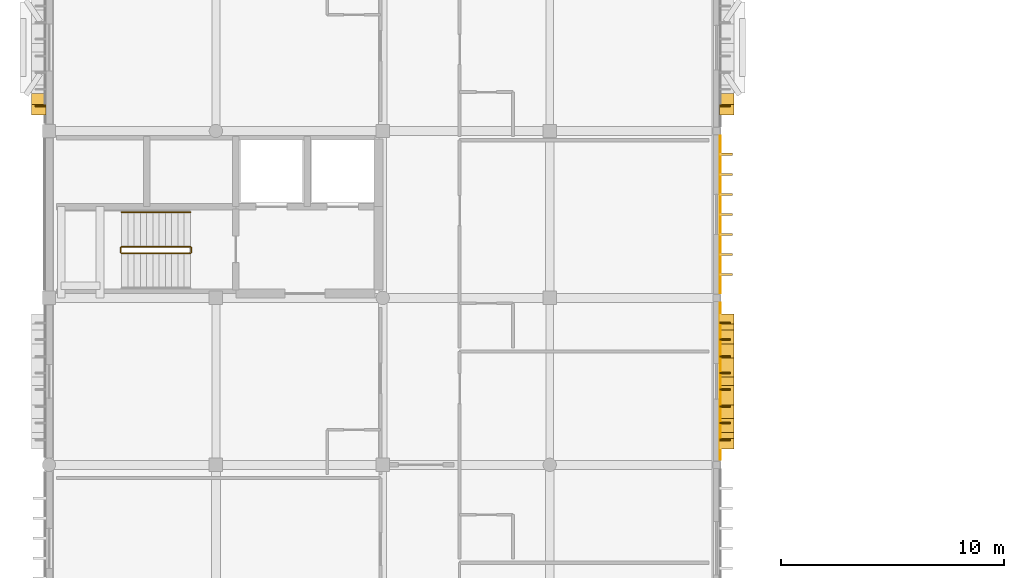
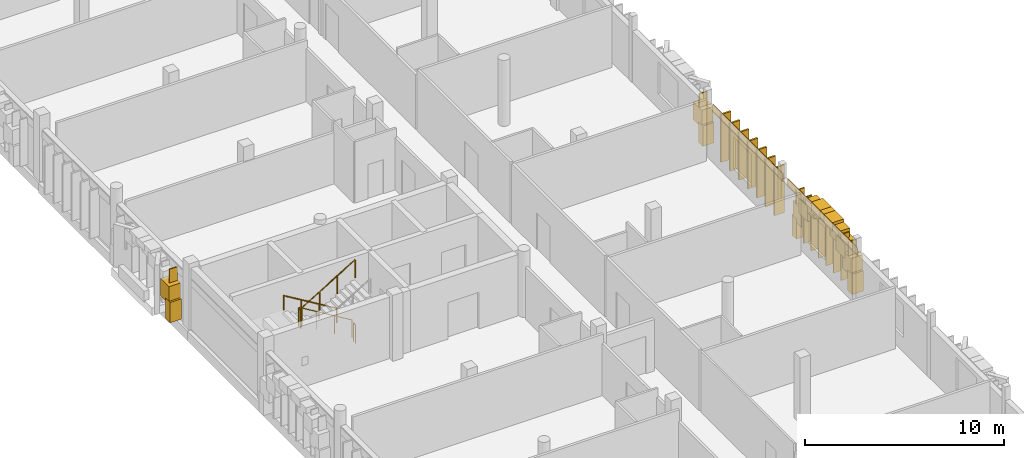
# One storey, part 26 of 33: 24 coverings, 10 shading devices, 5 railings.
"""IFC4 building model written with IfcOpenShell, lengths in metres."""

from ifc_helpers import new_model, si_unit, direction, frame, origin, origin_2d, place, context, subcontext, project, spatial, rectangle, circle, extrude, material, layer, layer_set, type_object, element, save


model = new_model("IFC4")

# Units and contexts
model_context = context("Model", 3, precision=1e-05, world=origin(), true_north=direction((0.0, 1.0)))
body_context = subcontext(model_context, "Body", "Model", "MODEL_VIEW")
ifc_project = project(units=[si_unit("LENGTHUNIT", "METRE"), si_unit("AREAUNIT", "SQUARE_METRE"), si_unit("VOLUMEUNIT", "CUBIC_METRE"), si_unit("PLANEANGLEUNIT", "RADIAN"), si_unit("MASSUNIT", "GRAM", prefix="KILO")], contexts=[model_context])

# Site, building, storey
site_placement = place(None, origin())
site = spatial("IfcSite", under=ifc_project, at=site_placement, CompositionType="ELEMENT")
building_placement = place(site_placement, origin())
building = spatial("IfcBuilding", under=site, at=building_placement, Name="Dalvernix Boulevard General Hospital", CompositionType="ELEMENT")
storey_placement = place(building_placement, frame((0.0, 0.0, 21.89990234375)))
storey = spatial("IfcBuildingStorey", under=building, at=storey_placement, Name="L05", CompositionType="ELEMENT", Elevation=21.89990234375)

# Coverings
ifc_material_1 = material(Name="Pressed Catalan clay brick and dressed limestone parabolic archivolt", Category="masonry")
ifc_layer_1 = layer(ifc_material_1, 0.419921875)
ifc_layer_set_1 = layer_set([ifc_layer_1], Name="Pressed Catalan clay brick and dressed limestone parabolic archivolt (COV-ARC-01)")
covering_type_1 = type_object("IfcCoveringType", Name="COV-ARC-01", PredefinedType="CLADDING", material=ifc_layer_set_1)
covering_1_placement = place(storey_placement, frame((-0.4599609375, 62.449951171875, 0.0), z_axis=(0.0, 0.0, 1.0), x_axis=(0.0, 1.0, 0.0)))
element("IfcCovering", 1, at=covering_1_placement, inside=storey, type_object=covering_type_1, Name="L05 Catalan parabolic arch impost pier W 0-8-L", PredefinedType="CLADDING", context=body_context, shape_type="SweptSolid", body=[
    extrude(rectangle(XDim=0.4599609375, YDim=0.659912109375, at=origin_2d()), origin(), (0.0, 0.0, 1.0), 1.25),
])
covering_2_placement = place(storey_placement, frame((-0.4599609375, 62.760986328125, 1.06005859375), z_axis=(0.0, 0.0, 1.0), x_axis=(0.0, 1.0, 0.0)))
element("IfcCovering", 2, at=covering_2_placement, inside=storey, type_object=covering_type_1, Name="L05 Catalan parabolic archivolt voussoir W 0-8-1", PredefinedType="CLADDING", context=body_context, shape_type="SweptSolid", body=[
    extrude(rectangle(XDim=0.8623046875, YDim=0.659912109375, at=origin_2d()), origin(), (0.0, 0.0, 1.0), 1.091064453125),
])
for number, where, z_axis, x_axis, name in (
    (3, (30.4599609375, 53.050048828125, 0.0), (0.0, 0.0, 1.0), (0.0, -1.0, 0.0), "L05 Catalan parabolic arch impost pier E 4-6-L"),
    (4, (30.4599609375, 47.449951171875, 0.0), (0.0, 0.0, 1.0), (0.0, -1.0, 0.0), "L05 Catalan parabolic arch impost pier E 4-6-R"),
):
    element("IfcCovering", number, at=place(storey_placement, frame(where, z_axis=z_axis, x_axis=x_axis)), inside=storey, type_object=covering_type_1, Name=name, PredefinedType="CLADDING", context=body_context, shape_type="SweptSolid", body=[
        extrude(rectangle(XDim=0.4599609375, YDim=0.659912109375, at=origin_2d()), origin(), (0.0, 0.0, 1.0), 1.25),
    ])
covering_3_placement = place(storey_placement, frame((30.4599609375, 52.739013671875, 1.06005859375), z_axis=(0.0, 0.0, 1.0), x_axis=(0.0, -1.0, 0.0)))
element("IfcCovering", 5, at=covering_3_placement, inside=storey, type_object=covering_type_1, Name="L05 Catalan parabolic archivolt voussoir E 4-6-1", PredefinedType="CLADDING", context=body_context, shape_type="SweptSolid", body=[
    extrude(rectangle(XDim=0.8623046875, YDim=0.659912109375, at=origin_2d()), origin(), (0.0, 0.0, 1.0), 1.091064453125),
])
covering_4_placement = place(storey_placement, frame((30.4599609375, 52.11669921875, 1.77099609375), z_axis=(0.0, 0.0, 1.0), x_axis=(0.0, -1.0, 0.0)))
element("IfcCovering", 6, at=covering_4_placement, inside=storey, type_object=covering_type_1, Name="L05 Catalan parabolic archivolt voussoir E 4-6-2", PredefinedType="CLADDING", context=body_context, shape_type="SweptSolid", body=[
    extrude(rectangle(XDim=0.8623046875, YDim=0.659912109375, at=origin_2d()), origin(), (0.0, 0.0, 1.0), 0.913330078125),
])
covering_5_placement = place(storey_placement, frame((30.4599609375, 51.494384765625, 2.3046875), z_axis=(0.0, 0.0, 1.0), x_axis=(0.0, -1.0, 0.0)))
element("IfcCovering", 7, at=covering_5_placement, inside=storey, type_object=covering_type_1, Name="L05 Catalan parabolic archivolt voussoir E 4-6-3", PredefinedType="CLADDING", context=body_context, shape_type="SweptSolid", body=[
    extrude(rectangle(XDim=0.8623046875, YDim=0.659912109375, at=origin_2d()), origin(), (0.0, 0.0, 1.0), 0.735595703125),
])
covering_6_placement = place(storey_placement, frame((30.4599609375, 50.872314453125, 2.66015625), z_axis=(0.0, 0.0, 1.0), x_axis=(0.0, -1.0, 0.0)))
element("IfcCovering", 8, at=covering_6_placement, inside=storey, type_object=covering_type_1, Name="L05 Catalan parabolic archivolt voussoir E 4-6-4", PredefinedType="CLADDING", context=body_context, shape_type="SweptSolid", body=[
    extrude(rectangle(XDim=0.8623046875, YDim=0.659912109375, at=origin_2d()), origin(), (0.0, 0.0, 1.0), 0.557861328125),
])
covering_7_placement = place(storey_placement, frame((30.4599609375, 50.25, 2.837890625), z_axis=(0.0, 0.0, 1.0), x_axis=(0.0, -1.0, 0.0)))
element("IfcCovering", 9, at=covering_7_placement, inside=storey, type_object=covering_type_1, Name="L05 Catalan parabolic archivolt voussoir E 4-6-5", PredefinedType="CLADDING", context=body_context, shape_type="SweptSolid", body=[
    extrude(rectangle(XDim=0.8623046875, YDim=0.659912109375, at=origin_2d()), origin(), (0.0, 0.0, 1.0), 0.3798828125),
])
covering_8_placement = place(storey_placement, frame((30.4599609375, 49.627685546875, 2.66015625), z_axis=(0.0, 0.0, 1.0), x_axis=(0.0, -1.0, 0.0)))
element("IfcCovering", 10, at=covering_8_placement, inside=storey, type_object=covering_type_1, Name="L05 Catalan parabolic archivolt voussoir E 4-6-6", PredefinedType="CLADDING", context=body_context, shape_type="SweptSolid", body=[
    extrude(rectangle(XDim=0.8623046875, YDim=0.659912109375, at=origin_2d()), origin(), (0.0, 0.0, 1.0), 0.557861328125),
])
covering_9_placement = place(storey_placement, frame((30.4599609375, 49.005615234375, 2.3046875), z_axis=(0.0, 0.0, 1.0), x_axis=(0.0, -1.0, 0.0)))
element("IfcCovering", 11, at=covering_9_placement, inside=storey, type_object=covering_type_1, Name="L05 Catalan parabolic archivolt voussoir E 4-6-7", PredefinedType="CLADDING", context=body_context, shape_type="SweptSolid", body=[
    extrude(rectangle(XDim=0.8623046875, YDim=0.659912109375, at=origin_2d()), origin(), (0.0, 0.0, 1.0), 0.735595703125),
])
covering_10_placement = place(storey_placement, frame((30.4599609375, 48.38330078125, 1.77099609375), z_axis=(0.0, 0.0, 1.0), x_axis=(0.0, -1.0, 0.0)))
element("IfcCovering", 12, at=covering_10_placement, inside=storey, type_object=covering_type_1, Name="L05 Catalan parabolic archivolt voussoir E 4-6-8", PredefinedType="CLADDING", context=body_context, shape_type="SweptSolid", body=[
    extrude(rectangle(XDim=0.8623046875, YDim=0.659912109375, at=origin_2d()), origin(), (0.0, 0.0, 1.0), 0.913330078125),
])
covering_11_placement = place(storey_placement, frame((30.4599609375, 47.760986328125, 1.06005859375), z_axis=(0.0, 0.0, 1.0), x_axis=(0.0, -1.0, 0.0)))
element("IfcCovering", 13, at=covering_11_placement, inside=storey, type_object=covering_type_1, Name="L05 Catalan parabolic archivolt voussoir E 4-6-9", PredefinedType="CLADDING", context=body_context, shape_type="SweptSolid", body=[
    extrude(rectangle(XDim=0.8623046875, YDim=0.659912109375, at=origin_2d()), origin(), (0.0, 0.0, 1.0), 1.091064453125),
])
covering_12_placement = place(storey_placement, frame((30.4599609375, 62.449951171875, 0.0), z_axis=(0.0, 0.0, 1.0), x_axis=(0.0, -1.0, 0.0)))
element("IfcCovering", 14, at=covering_12_placement, inside=storey, type_object=covering_type_1, Name="L05 Catalan parabolic arch impost pier E 4-8-R", PredefinedType="CLADDING", context=body_context, shape_type="SweptSolid", body=[
    extrude(rectangle(XDim=0.4599609375, YDim=0.659912109375, at=origin_2d()), origin(), (0.0, 0.0, 1.0), 1.25),
])
covering_13_placement = place(storey_placement, frame((30.4599609375, 62.760986328125, 1.06005859375), z_axis=(0.0, 0.0, 1.0), x_axis=(0.0, -1.0, 0.0)))
element("IfcCovering", 15, at=covering_13_placement, inside=storey, type_object=covering_type_1, Name="L05 Catalan parabolic archivolt voussoir E 4-8-9", PredefinedType="CLADDING", context=body_context, shape_type="SweptSolid", body=[
    extrude(rectangle(XDim=0.8623046875, YDim=0.659912109375, at=origin_2d()), origin(), (0.0, 0.0, 1.0), 1.091064453125),
])
ifc_material_2 = material(Name="Polychrome Catalan glazed ceramic spandrel tile panel")
ifc_layer_2 = layer(ifc_material_2, 0.044921875)
ifc_layer_set_2 = layer_set([ifc_layer_2], Name="Polychrome Catalan glazed ceramic spandrel tile panel (COV-CLD-01)")
covering_type_2 = type_object("IfcCoveringType", Name="COV-CLD-01", PredefinedType="CLADDING", material=ifc_layer_set_2)
for number, where, z_axis, x_axis, name in (
    (16, (30.169921875, 50.25, 2.6953125), (0.0, 0.0, 1.0), (0.0, -1.0, 0.0), "L05 polychrome ceramic spandrel E 4-6"),
    (17, (30.169921875, 57.75, 2.6953125), (0.0, 0.0, 1.0), (0.0, -1.0, 0.0), "L05 polychrome ceramic spandrel E 4-7"),
):
    element("IfcCovering", number, at=place(storey_placement, frame(where, z_axis=z_axis, x_axis=x_axis)), inside=storey, type_object=covering_type_2, Name=name, PredefinedType="CLADDING", context=body_context, shape_type="SweptSolid", body=[
        extrude(rectangle(XDim=7.06005859375, YDim=0.044921875, at=origin_2d()), origin(), (0.0, 0.0, 1.0), 0.449951171875),
    ])
ifc_material_3 = material(Name="Terracotta-clad iroko timber brise-soleil sun-breaker fin", Category="masonry")
ifc_layer_3 = layer(ifc_material_3, 0.10009765625)
ifc_layer_set_3 = layer_set([ifc_layer_3], Name="Terracotta-clad iroko timber brise-soleil sun-breaker fin (COV-FIN-02)")
covering_type_3 = type_object("IfcCoveringType", Name="COV-FIN-02", PredefinedType="CLADDING", material=ifc_layer_set_3)
for number, where, z_axis, x_axis, name in (
    (18, (30.419921875, 60.449951171875, 0.1201171875), (0.0, 0.0, 1.0), (0.0, -1.0, 0.0), "L05 terracotta brise-soleil fin E 4-7-1"),
    (19, (30.419921875, 59.550048828125, 0.1201171875), (0.0, 0.0, 1.0), (0.0, -1.0, 0.0), "L05 terracotta brise-soleil fin E 4-7-2"),
    (20, (30.419921875, 58.64990234375, 0.1201171875), (0.0, 0.0, 1.0), (0.0, -1.0, 0.0), "L05 terracotta brise-soleil fin E 4-7-3"),
    (21, (30.419921875, 57.75, 0.1201171875), (0.0, 0.0, 1.0), (0.0, -1.0, 0.0), "L05 terracotta brise-soleil fin E 4-7-4"),
    (22, (30.419921875, 56.85009765625, 0.1201171875), (0.0, 0.0, 1.0), (0.0, -1.0, 0.0), "L05 terracotta brise-soleil fin E 4-7-5"),
    (23, (30.419921875, 55.949951171875, 0.1201171875), (0.0, 0.0, 1.0), (0.0, -1.0, 0.0), "L05 terracotta brise-soleil fin E 4-7-6"),
    (24, (30.419921875, 55.050048828125, 0.1201171875), (0.0, 0.0, 1.0), (0.0, -1.0, 0.0), "L05 terracotta brise-soleil fin E 4-7-7"),
):
    element("IfcCovering", number, at=place(storey_placement, frame(where, z_axis=z_axis, x_axis=x_axis)), inside=storey, type_object=covering_type_3, Name=name, PredefinedType="CLADDING", context=body_context, shape_type="SweptSolid", body=[
        extrude(rectangle(XDim=0.10009765625, YDim=0.580078125, at=origin_2d()), origin(), (0.0, 0.0, 1.0), 2.929931640625),
    ])

# Railings
ifc_material_4 = material(Name="Brushed stainless steel balustrade", Category="steel")
railing_type_1 = type_object("IfcRailingType", Name="RL-GR-INT1", PredefinedType="BALUSTRADE", material=ifc_material_4)
railing_1_placement = place(storey_placement, frame((6.35009765625, 56.300048828125, 0.1689453125)))
element("IfcRailing", 25, at=railing_1_placement, inside=storey, type_object=railing_type_1, Name="L05 ST-02 stair guard 1", PredefinedType="BALUSTRADE", context=body_context, shape_type="SweptSolid", body=[
    extrude(circle(Radius=0.02392578125, at=origin_2d()), frame((0.0, 0.0, 1.09619140625), z_axis=(-0.856490936558, 0.0, 0.516162063304), x_axis=(0.0, -1.0, 0.0)), (0.0, 0.0, 1.0), 3.59619140625),
    extrude(circle(Radius=0.02099609375, at=origin_2d()), origin(), (0.0, 0.0, 1.0), 1.072021484375),
    extrude(circle(Radius=0.02099609375, at=origin_2d()), frame((-1.026611328125, 0.0, 0.61865234375)), (0.0, 0.0, 1.0), 1.072021484375),
    extrude(circle(Radius=0.02099609375, at=origin_2d()), frame((-2.053466796875, 0.0, 1.237548828125)), (0.0, 0.0, 1.0), 1.072021484375),
    extrude(circle(Radius=0.02099609375, at=origin_2d()), frame((-3.080078125, 0.0, 1.856201171875)), (0.0, 0.0, 1.0), 1.072021484375),
])
railing_2_placement = place(storey_placement, frame((3.219970703125, 56.25, 2.025146484375)))
element("IfcRailing", 26, at=railing_2_placement, inside=storey, type_object=railing_type_1, Name="L05 ST-02 stair guard 2", PredefinedType="BALUSTRADE", context=body_context, shape_type="SweptSolid", body=[
    extrude(circle(Radius=0.02392578125, at=origin_2d()), frame((0.0, 0.0, 1.09619140625), z_axis=(0.0, -1.0, 0.0), x_axis=(1.0, 0.0, 0.0)), (0.0, 0.0, 1.0), 0.199951171875),
    extrude(circle(Radius=0.02099609375, at=origin_2d()), origin(), (0.0, 0.0, 1.0), 1.072021484375),
    extrude(circle(Radius=0.02099609375, at=origin_2d()), frame((0.0, -0.199951171875, 0.0)), (0.0, 0.0, 1.0), 1.072021484375),
])
railing_3_placement = place(storey_placement, frame((3.27001953125, 56.0, 2.19384765625)))
element("IfcRailing", 27, at=railing_3_placement, inside=storey, type_object=railing_type_1, Name="L05 ST-02 stair guard 3", PredefinedType="BALUSTRADE", context=body_context, shape_type="SweptSolid", body=[
    extrude(circle(Radius=0.02392578125, at=origin_2d()), frame((0.0, 0.0, 1.09619140625), z_axis=(0.856490936558, 0.0, 0.516162063304), x_axis=(0.0, 1.0, 0.0)), (0.0, 0.0, 1.0), 3.59619140625),
    extrude(circle(Radius=0.02099609375, at=origin_2d()), origin(), (0.0, 0.0, 1.0), 1.072021484375),
    extrude(circle(Radius=0.02099609375, at=origin_2d()), frame((1.026611328125, 0.0, 0.61865234375)), (0.0, 0.0, 1.0), 1.072021484375),
    extrude(circle(Radius=0.02099609375, at=origin_2d()), frame((2.053466796875, 0.0, 1.237548828125)), (0.0, 0.0, 1.0), 1.072021484375),
    extrude(circle(Radius=0.02099609375, at=origin_2d()), frame((3.080078125, 0.0, 1.856201171875)), (0.0, 0.0, 1.0), 1.072021484375),
])
railing_4_placement = place(storey_placement, frame((6.39990234375, 56.25, 0.0)))
element("IfcRailing", 28, at=railing_4_placement, inside=storey, type_object=railing_type_1, Name="L05 ST-02 stair guard 4", PredefinedType="BALUSTRADE", context=body_context, shape_type="SweptSolid", body=[
    extrude(circle(Radius=0.02392578125, at=origin_2d()), frame((0.0, 0.0, 1.09619140625), z_axis=(0.0, -1.0, 0.0), x_axis=(1.0, 0.0, 0.0)), (0.0, 0.0, 1.0), 0.199951171875),
    extrude(circle(Radius=0.02099609375, at=origin_2d()), origin(), (0.0, 0.0, 1.0), 1.072021484375),
    extrude(circle(Radius=0.02099609375, at=origin_2d()), frame((0.0, -0.199951171875, 0.0)), (0.0, 0.0, 1.0), 1.072021484375),
])
ifc_material_5 = material(Name="Brushed stainless steel wall handrail", Category="steel")
railing_type_2 = type_object("IfcRailingType", Name="RL-HR-INT1", PredefinedType="HANDRAIL", material=ifc_material_5)
railing_5_placement = place(storey_placement, frame((6.35009765625, 57.85009765625, 0.1689453125)))
element("IfcRailing", 29, at=railing_5_placement, inside=storey, type_object=railing_type_2, Name="L05 ST-02 stair handrail 1", PredefinedType="HANDRAIL", context=body_context, shape_type="SweptSolid", body=[
    extrude(circle(Radius=0.02392578125, at=origin_2d()), frame((0.0, 0.0, 0.8759765625), z_axis=(-0.856490936558, 0.0, 0.516162063304), x_axis=(0.0, -1.0, 0.0)), (0.0, 0.0, 1.0), 3.59619140625),
    extrude(circle(Radius=0.02099609375, at=origin_2d()), origin(), (0.0, 0.0, 1.0), 0.851806640625),
    extrude(circle(Radius=0.02099609375, at=origin_2d()), frame((-1.026611328125, 0.0, 0.61865234375)), (0.0, 0.0, 1.0), 0.851806640625),
    extrude(circle(Radius=0.02099609375, at=origin_2d()), frame((-2.053466796875, 0.0, 1.237548828125)), (0.0, 0.0, 1.0), 0.851806640625),
    extrude(circle(Radius=0.02099609375, at=origin_2d()), frame((-3.080078125, 0.0, 1.856201171875)), (0.0, 0.0, 1.0), 0.851806640625),
])

# Shading devices
ifc_material_6 = material(Name="Preservative-treated West African iroko timber", Category="wood")
shading_device_type = type_object("IfcShadingDeviceType", Name="SHD-FIN-01", PredefinedType="USERDEFINED", material=ifc_material_6)
for number, where, z_axis, x_axis, name in (
    (30, (-0.3798828125, 62.625, 0.17529296875), (0.0, 0.0, 1.0), (0.0, 1.0, 0.0), "L05 iroko brise-soleil fin 1"),
    (31, (30.3798828125, 52.875, 0.17529296875), (0.0, 0.0, 1.0), (0.0, -1.0, 0.0), "L05 iroko brise-soleil fin 1"),
    (32, (30.3798828125, 52.125, 0.17529296875), (0.0, 0.0, 1.0), (0.0, -1.0, 0.0), "L05 iroko brise-soleil fin 2"),
    (33, (30.3798828125, 51.375, 0.17529296875), (0.0, 0.0, 1.0), (0.0, -1.0, 0.0), "L05 iroko brise-soleil fin 3"),
    (34, (30.3798828125, 50.625, 0.17529296875), (0.0, 0.0, 1.0), (0.0, -1.0, 0.0), "L05 iroko brise-soleil fin 4"),
    (35, (30.3798828125, 49.875, 0.17529296875), (0.0, 0.0, 1.0), (0.0, -1.0, 0.0), "L05 iroko brise-soleil fin 5"),
    (36, (30.3798828125, 49.125, 0.17529296875), (0.0, 0.0, 1.0), (0.0, -1.0, 0.0), "L05 iroko brise-soleil fin 6"),
    (37, (30.3798828125, 48.375, 0.17529296875), (0.0, 0.0, 1.0), (0.0, -1.0, 0.0), "L05 iroko brise-soleil fin 7"),
    (38, (30.3798828125, 47.625, 0.17529296875), (0.0, 0.0, 1.0), (0.0, -1.0, 0.0), "L05 iroko brise-soleil fin 8"),
    (39, (30.3798828125, 62.625, 0.17529296875), (0.0, 0.0, 1.0), (0.0, -1.0, 0.0), "L05 iroko brise-soleil fin 8"),
):
    element("IfcShadingDevice", number, at=place(storey_placement, frame(where, z_axis=z_axis, x_axis=x_axis)), inside=storey, type_object=shading_device_type, Name=name, ObjectType="FIN", PredefinedType="USERDEFINED", context=body_context, shape_type="SweptSolid", body=[
        extrude(rectangle(XDim=0.06494140625, YDim=0.47998046875, at=origin_2d()), origin(), (0.0, 0.0, 1.0), 2.820068359375),
    ])

save(model, "model.ifc")
